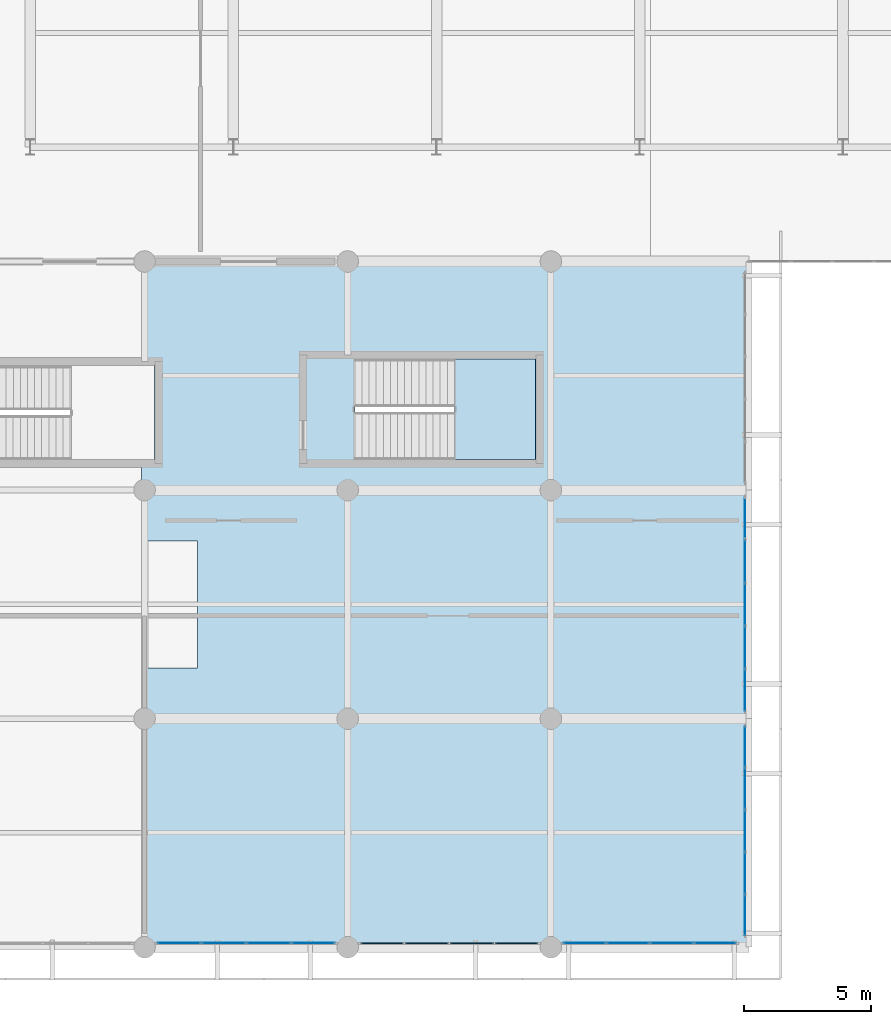
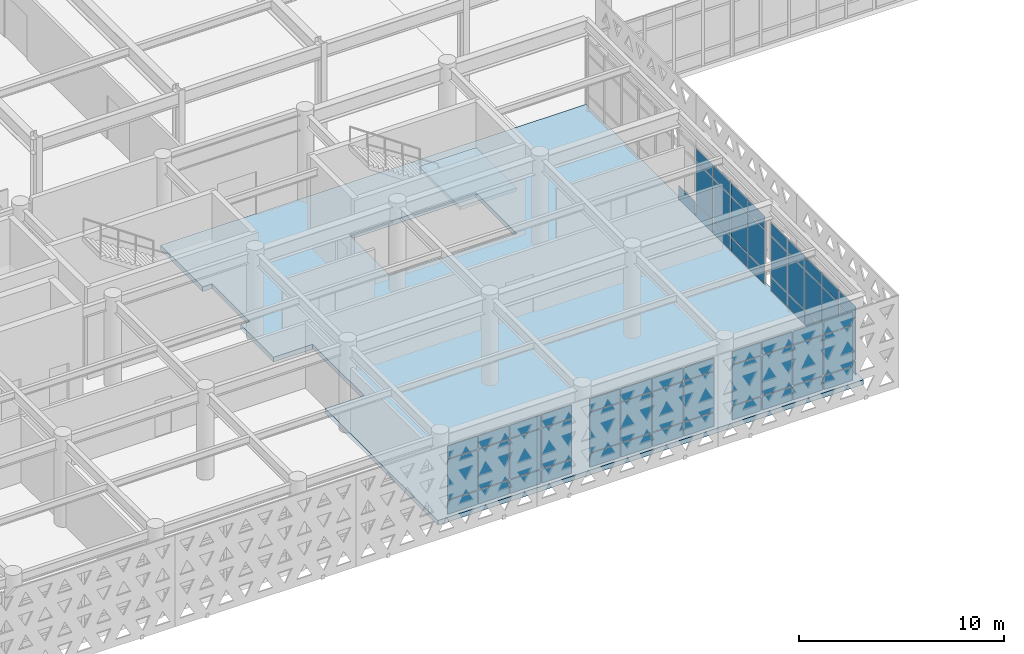
# One storey, part 50 of 84: 64 plates, 2 slabs, 6 elements without a shape of their own.
"""IFC4 building model written with IfcOpenShell, lengths in metres."""

from ifc_helpers import new_model, si_unit, direction, frame, origin, origin_2d, place, context, subcontext, project, spatial, polyline, rectangle, outline, extrude, material, layer, layer_set, type_object, element, aggregate, save


model = new_model("IFC4")

# Units and contexts
model_context = context("Model", 3, precision=1e-05, world=origin(), true_north=direction((0.0, 1.0)))
body_context = subcontext(model_context, "Body", "Model", "MODEL_VIEW")
ifc_project = project(units=[si_unit("LENGTHUNIT", "METRE"), si_unit("AREAUNIT", "SQUARE_METRE"), si_unit("VOLUMEUNIT", "CUBIC_METRE"), si_unit("PLANEANGLEUNIT", "RADIAN"), si_unit("MASSUNIT", "GRAM", prefix="KILO")], contexts=[model_context])

# Site, building, storey
site_placement = place(None, origin())
site = spatial("IfcSite", under=ifc_project, at=site_placement, CompositionType="ELEMENT")
building_placement = place(site_placement, origin())
building = spatial("IfcBuilding", under=site, at=building_placement, Name="Tlacozan Convention Centre", CompositionType="ELEMENT")
storey_placement = place(building_placement, frame((0.0, 0.0, 6.0)))
storey = spatial("IfcBuildingStorey", under=building, at=storey_placement, Name="L01", CompositionType="ELEMENT", Elevation=6.0)

# Slab
ifc_material_1 = material(Name="Concrete C40/50", Category="concrete")
ifc_layer_1 = layer(ifc_material_1, 0.280029296875)
ifc_layer_set_1 = layer_set([ifc_layer_1], Name="Concrete C40/50")
slab_type_1 = type_object("IfcSlabType", Name="Congress Composite Floor Slab 280", PredefinedType="FLOOR", material=ifc_layer_set_1)
slab_1_placement = place(storey_placement, frame((0.0, 0.0, -0.280029296875)))
element("IfcSlab", 1, at=slab_1_placement, inside=storey, type_object=slab_type_1, Name="L01 Congress Composite Floor Slab 280 57", PredefinedType="FLOOR", context=body_context, shape_type="SweptSolid", body=[
    extrude(outline(polyline([(119.800048828125, 27.0), (119.800048828125, 0.0), (95.8798828125, 0.0), (95.8798828125, 11.0), (98.080078125, 11.0), (98.080078125, 16.0), (95.8798828125, 16.0), (95.8798828125, 19.199951171875), (96.39990234375, 19.199951171875), (96.39990234375, 22.89990234375), (95.8798828125, 22.89990234375), (95.8798828125, 27.0), (119.800048828125, 27.0)]), holes=[polyline([(104.280029296875, 19.199951171875), (111.39990234375, 19.199951171875), (111.39990234375, 23.159912109375), (104.280029296875, 23.159912109375), (104.280029296875, 19.199951171875)])]), origin(), (0.0, 0.0, 1.0), 0.280029296875),
])

# Curtain wall, plates
ifc_material_2 = material(Name="Dark Bronze Anodised Aluminium", Category="aluminium")
ifc_layer_2 = layer(ifc_material_2, 0.159912109375)
ifc_layer_set_2 = layer_set([ifc_layer_2], Name="Dark Bronze Anodised Aluminium")
curtain_wall_type_1 = type_object("IfcCurtainWallType", Name="Unitised Congress L01 South CW02", PredefinedType="NOTDEFINED", material=ifc_layer_set_2)
curtain_wall_1_placement = place(storey_placement, origin())
curtain_wall_1 = element("IfcCurtainWall", 2, at=curtain_wall_1_placement, inside=storey, type_object=curtain_wall_type_1, Name="L01 CW-02 Run 67", PredefinedType="NOTDEFINED")
ifc_material_3 = material(Name="Solar Control Double Low-E Argon Glazing", Category="glass")
ifc_layer_3 = layer(ifc_material_3, 0.02001953125)
ifc_layer_set_3 = layer_set([ifc_layer_3], Name="Solar Control Double Low-E Argon Glazing")
plate_type_1 = type_object("IfcPlateType", Name="Double Low-E Glazed CW Panel 20", PredefinedType="CURTAIN_PANEL", material=ifc_layer_set_3)
plate_1_placement = place(storey_placement, frame((97.353759765625, 0.159912109375, 0.06494140625), z_axis=(0.0, 0.0, 1.0), x_axis=(1.0, 0.0, 0.0)))
plate_1 = element("IfcPlate", 3, at=plate_1_placement, type_object=plate_type_1, Name="CW-02 panel 1.1", PredefinedType="CURTAIN_PANEL", context=body_context, shape_type="SweptSolid", body=[
    extrude(rectangle(XDim=1.677490234375, YDim=0.02001953125, at=origin_2d()), origin(), (0.0, 0.0, 1.0), 0.802490234375),
])
plate_2_placement = place(storey_placement, frame((97.353759765625, 0.159912109375, 0.9326171875), z_axis=(0.0, 0.0, 1.0), x_axis=(1.0, 0.0, 0.0)))
plate_2 = element("IfcPlate", 4, at=plate_2_placement, type_object=plate_type_1, Name="CW-02 panel 1.2", PredefinedType="CURTAIN_PANEL", context=body_context, shape_type="SweptSolid", body=[
    extrude(rectangle(XDim=1.677490234375, YDim=0.02001953125, at=origin_2d()), origin(), (0.0, 0.0, 1.0), 2.364990234375),
])
plate_3_placement = place(storey_placement, frame((97.353759765625, 0.159912109375, 3.362548828125), z_axis=(0.0, 0.0, 1.0), x_axis=(1.0, 0.0, 0.0)))
plate_3 = element("IfcPlate", 5, at=plate_3_placement, type_object=plate_type_1, Name="CW-02 panel 1.3", PredefinedType="CURTAIN_PANEL", context=body_context, shape_type="SweptSolid", body=[
    extrude(rectangle(XDim=1.677490234375, YDim=0.02001953125, at=origin_2d()), origin(), (0.0, 0.0, 1.0), 0.75244140625),
])
plate_4_placement = place(storey_placement, frame((99.112548828125, 0.159912109375, 0.06494140625), z_axis=(0.0, 0.0, 1.0), x_axis=(1.0, 0.0, 0.0)))
plate_4 = element("IfcPlate", 6, at=plate_4_placement, type_object=plate_type_1, Name="CW-02 panel 2.1", PredefinedType="CURTAIN_PANEL", context=body_context, shape_type="SweptSolid", body=[
    extrude(rectangle(XDim=1.7099609375, YDim=0.02001953125, at=origin_2d()), origin(), (0.0, 0.0, 1.0), 0.802490234375),
])
plate_5_placement = place(storey_placement, frame((99.112548828125, 0.159912109375, 0.9326171875), z_axis=(0.0, 0.0, 1.0), x_axis=(1.0, 0.0, 0.0)))
plate_5 = element("IfcPlate", 7, at=plate_5_placement, type_object=plate_type_1, Name="CW-02 panel 2.2", PredefinedType="CURTAIN_PANEL", context=body_context, shape_type="SweptSolid", body=[
    extrude(rectangle(XDim=1.7099609375, YDim=0.02001953125, at=origin_2d()), origin(), (0.0, 0.0, 1.0), 2.364990234375),
])
plate_6_placement = place(storey_placement, frame((99.112548828125, 0.159912109375, 3.362548828125), z_axis=(0.0, 0.0, 1.0), x_axis=(1.0, 0.0, 0.0)))
plate_6 = element("IfcPlate", 8, at=plate_6_placement, type_object=plate_type_1, Name="CW-02 panel 2.3", PredefinedType="CURTAIN_PANEL", context=body_context, shape_type="SweptSolid", body=[
    extrude(rectangle(XDim=1.7099609375, YDim=0.02001953125, at=origin_2d()), origin(), (0.0, 0.0, 1.0), 0.75244140625),
])
plate_7_placement = place(storey_placement, frame((100.887451171875, 0.159912109375, 0.06494140625), z_axis=(0.0, 0.0, 1.0), x_axis=(1.0, 0.0, 0.0)))
plate_7 = element("IfcPlate", 9, at=plate_7_placement, type_object=plate_type_1, Name="CW-02 panel 3.1", PredefinedType="CURTAIN_PANEL", context=body_context, shape_type="SweptSolid", body=[
    extrude(rectangle(XDim=1.7099609375, YDim=0.02001953125, at=origin_2d()), origin(), (0.0, 0.0, 1.0), 0.802490234375),
])
plate_8_placement = place(storey_placement, frame((100.887451171875, 0.159912109375, 0.9326171875), z_axis=(0.0, 0.0, 1.0), x_axis=(1.0, 0.0, 0.0)))
plate_8 = element("IfcPlate", 10, at=plate_8_placement, type_object=plate_type_1, Name="CW-02 panel 3.2", PredefinedType="CURTAIN_PANEL", context=body_context, shape_type="SweptSolid", body=[
    extrude(rectangle(XDim=1.7099609375, YDim=0.02001953125, at=origin_2d()), origin(), (0.0, 0.0, 1.0), 2.364990234375),
])
plate_9_placement = place(storey_placement, frame((100.887451171875, 0.159912109375, 3.362548828125), z_axis=(0.0, 0.0, 1.0), x_axis=(1.0, 0.0, 0.0)))
plate_9 = element("IfcPlate", 11, at=plate_9_placement, type_object=plate_type_1, Name="CW-02 panel 3.3", PredefinedType="CURTAIN_PANEL", context=body_context, shape_type="SweptSolid", body=[
    extrude(rectangle(XDim=1.7099609375, YDim=0.02001953125, at=origin_2d()), origin(), (0.0, 0.0, 1.0), 0.75244140625),
])
plate_10_placement = place(storey_placement, frame((102.646240234375, 0.159912109375, 0.06494140625), z_axis=(0.0, 0.0, 1.0), x_axis=(1.0, 0.0, 0.0)))
plate_10 = element("IfcPlate", 12, at=plate_10_placement, type_object=plate_type_1, Name="CW-02 panel 4.1", PredefinedType="CURTAIN_PANEL", context=body_context, shape_type="SweptSolid", body=[
    extrude(rectangle(XDim=1.677490234375, YDim=0.02001953125, at=origin_2d()), origin(), (0.0, 0.0, 1.0), 0.802490234375),
])
plate_11_placement = place(storey_placement, frame((102.646240234375, 0.159912109375, 0.9326171875), z_axis=(0.0, 0.0, 1.0), x_axis=(1.0, 0.0, 0.0)))
plate_11 = element("IfcPlate", 13, at=plate_11_placement, type_object=plate_type_1, Name="CW-02 panel 4.2", PredefinedType="CURTAIN_PANEL", context=body_context, shape_type="SweptSolid", body=[
    extrude(rectangle(XDim=1.677490234375, YDim=0.02001953125, at=origin_2d()), origin(), (0.0, 0.0, 1.0), 2.364990234375),
])
plate_12_placement = place(storey_placement, frame((102.646240234375, 0.159912109375, 3.362548828125), z_axis=(0.0, 0.0, 1.0), x_axis=(1.0, 0.0, 0.0)))
plate_12 = element("IfcPlate", 14, at=plate_12_placement, type_object=plate_type_1, Name="CW-02 panel 4.3", PredefinedType="CURTAIN_PANEL", context=body_context, shape_type="SweptSolid", body=[
    extrude(rectangle(XDim=1.677490234375, YDim=0.02001953125, at=origin_2d()), origin(), (0.0, 0.0, 1.0), 0.75244140625),
])
aggregate(curtain_wall_1, [plate_1, plate_2, plate_3, plate_4, plate_5, plate_6, plate_7, plate_8, plate_9, plate_10, plate_11, plate_12])

curtain_wall_2_placement = place(storey_placement, origin())
curtain_wall_2 = element("IfcCurtainWall", 15, at=curtain_wall_2_placement, inside=storey, type_object=curtain_wall_type_1, Name="L01 CW-02 Run 69", PredefinedType="NOTDEFINED")
plate_13_placement = place(storey_placement, frame((113.328857421875, 0.159912109375, 0.06494140625), z_axis=(0.0, 0.0, 1.0), x_axis=(1.0, 0.0, 0.0)))
plate_13 = element("IfcPlate", 16, at=plate_13_placement, type_object=plate_type_1, Name="CW-02 panel 1.1", PredefinedType="CURTAIN_PANEL", context=body_context, shape_type="SweptSolid", body=[
    extrude(rectangle(XDim=1.62744140625, YDim=0.02001953125, at=origin_2d()), origin(), (0.0, 0.0, 1.0), 0.802490234375),
])
plate_14_placement = place(storey_placement, frame((113.328857421875, 0.159912109375, 0.9326171875), z_axis=(0.0, 0.0, 1.0), x_axis=(1.0, 0.0, 0.0)))
plate_14 = element("IfcPlate", 17, at=plate_14_placement, type_object=plate_type_1, Name="CW-02 panel 1.2", PredefinedType="CURTAIN_PANEL", context=body_context, shape_type="SweptSolid", body=[
    extrude(rectangle(XDim=1.62744140625, YDim=0.02001953125, at=origin_2d()), origin(), (0.0, 0.0, 1.0), 2.364990234375),
])
plate_15_placement = place(storey_placement, frame((113.328857421875, 0.159912109375, 3.362548828125), z_axis=(0.0, 0.0, 1.0), x_axis=(1.0, 0.0, 0.0)))
plate_15 = element("IfcPlate", 18, at=plate_15_placement, type_object=plate_type_1, Name="CW-02 panel 1.3", PredefinedType="CURTAIN_PANEL", context=body_context, shape_type="SweptSolid", body=[
    extrude(rectangle(XDim=1.62744140625, YDim=0.02001953125, at=origin_2d()), origin(), (0.0, 0.0, 1.0), 0.75244140625),
])
plate_16_placement = place(storey_placement, frame((115.03759765625, 0.159912109375, 0.06494140625), z_axis=(0.0, 0.0, 1.0), x_axis=(1.0, 0.0, 0.0)))
plate_16 = element("IfcPlate", 19, at=plate_16_placement, type_object=plate_type_1, Name="CW-02 panel 2.1", PredefinedType="CURTAIN_PANEL", context=body_context, shape_type="SweptSolid", body=[
    extrude(rectangle(XDim=1.659912109375, YDim=0.02001953125, at=origin_2d()), origin(), (0.0, 0.0, 1.0), 0.802490234375),
])
plate_17_placement = place(storey_placement, frame((115.03759765625, 0.159912109375, 0.9326171875), z_axis=(0.0, 0.0, 1.0), x_axis=(1.0, 0.0, 0.0)))
plate_17 = element("IfcPlate", 20, at=plate_17_placement, type_object=plate_type_1, Name="CW-02 panel 2.2", PredefinedType="CURTAIN_PANEL", context=body_context, shape_type="SweptSolid", body=[
    extrude(rectangle(XDim=1.659912109375, YDim=0.02001953125, at=origin_2d()), origin(), (0.0, 0.0, 1.0), 2.364990234375),
])
plate_18_placement = place(storey_placement, frame((115.03759765625, 0.159912109375, 3.362548828125), z_axis=(0.0, 0.0, 1.0), x_axis=(1.0, 0.0, 0.0)))
plate_18 = element("IfcPlate", 21, at=plate_18_placement, type_object=plate_type_1, Name="CW-02 panel 2.3", PredefinedType="CURTAIN_PANEL", context=body_context, shape_type="SweptSolid", body=[
    extrude(rectangle(XDim=1.659912109375, YDim=0.02001953125, at=origin_2d()), origin(), (0.0, 0.0, 1.0), 0.75244140625),
])
plate_19_placement = place(storey_placement, frame((116.762451171875, 0.159912109375, 0.06494140625), z_axis=(0.0, 0.0, 1.0), x_axis=(1.0, 0.0, 0.0)))
plate_19 = element("IfcPlate", 22, at=plate_19_placement, type_object=plate_type_1, Name="CW-02 panel 3.1", PredefinedType="CURTAIN_PANEL", context=body_context, shape_type="SweptSolid", body=[
    extrude(rectangle(XDim=1.659912109375, YDim=0.02001953125, at=origin_2d()), origin(), (0.0, 0.0, 1.0), 0.802490234375),
])
plate_20_placement = place(storey_placement, frame((116.762451171875, 0.159912109375, 0.9326171875), z_axis=(0.0, 0.0, 1.0), x_axis=(1.0, 0.0, 0.0)))
plate_20 = element("IfcPlate", 23, at=plate_20_placement, type_object=plate_type_1, Name="CW-02 panel 3.2", PredefinedType="CURTAIN_PANEL", context=body_context, shape_type="SweptSolid", body=[
    extrude(rectangle(XDim=1.659912109375, YDim=0.02001953125, at=origin_2d()), origin(), (0.0, 0.0, 1.0), 2.364990234375),
])
plate_21_placement = place(storey_placement, frame((116.762451171875, 0.159912109375, 3.362548828125), z_axis=(0.0, 0.0, 1.0), x_axis=(1.0, 0.0, 0.0)))
plate_21 = element("IfcPlate", 24, at=plate_21_placement, type_object=plate_type_1, Name="CW-02 panel 3.3", PredefinedType="CURTAIN_PANEL", context=body_context, shape_type="SweptSolid", body=[
    extrude(rectangle(XDim=1.659912109375, YDim=0.02001953125, at=origin_2d()), origin(), (0.0, 0.0, 1.0), 0.75244140625),
])
plate_22_placement = place(storey_placement, frame((118.47119140625, 0.159912109375, 0.06494140625), z_axis=(0.0, 0.0, 1.0), x_axis=(1.0, 0.0, 0.0)))
plate_22 = element("IfcPlate", 25, at=plate_22_placement, type_object=plate_type_1, Name="CW-02 panel 4.1", PredefinedType="CURTAIN_PANEL", context=body_context, shape_type="SweptSolid", body=[
    extrude(rectangle(XDim=1.62744140625, YDim=0.02001953125, at=origin_2d()), origin(), (0.0, 0.0, 1.0), 0.802490234375),
])
plate_23_placement = place(storey_placement, frame((118.47119140625, 0.159912109375, 0.9326171875), z_axis=(0.0, 0.0, 1.0), x_axis=(1.0, 0.0, 0.0)))
plate_23 = element("IfcPlate", 26, at=plate_23_placement, type_object=plate_type_1, Name="CW-02 panel 4.2", PredefinedType="CURTAIN_PANEL", context=body_context, shape_type="SweptSolid", body=[
    extrude(rectangle(XDim=1.62744140625, YDim=0.02001953125, at=origin_2d()), origin(), (0.0, 0.0, 1.0), 2.364990234375),
])
plate_24_placement = place(storey_placement, frame((118.47119140625, 0.159912109375, 3.362548828125), z_axis=(0.0, 0.0, 1.0), x_axis=(1.0, 0.0, 0.0)))
plate_24 = element("IfcPlate", 27, at=plate_24_placement, type_object=plate_type_1, Name="CW-02 panel 4.3", PredefinedType="CURTAIN_PANEL", context=body_context, shape_type="SweptSolid", body=[
    extrude(rectangle(XDim=1.62744140625, YDim=0.02001953125, at=origin_2d()), origin(), (0.0, 0.0, 1.0), 0.75244140625),
])
aggregate(curtain_wall_2, [plate_13, plate_14, plate_15, plate_16, plate_17, plate_18, plate_19, plate_20, plate_21, plate_22, plate_23, plate_24])

ifc_layer_4 = layer(ifc_material_2, 0.159912109375)
ifc_layer_set_4 = layer_set([ifc_layer_4], Name="Dark Bronze Anodised Aluminium")
curtain_wall_type_2 = type_object("IfcCurtainWallType", Name="Unitised Congress Gable End CW06", PredefinedType="NOTDEFINED", material=ifc_layer_set_4)
curtain_wall_3_placement = place(storey_placement, origin())
curtain_wall_3 = element("IfcCurtainWall", 28, at=curtain_wall_3_placement, inside=storey, type_object=curtain_wall_type_2, Name="L01 CW-06 Run 73", PredefinedType="NOTDEFINED")
plate_25_placement = place(storey_placement, frame((119.639892578125, 1.259033203125, 0.06005859375), z_axis=(0.0, 0.0, 1.0), x_axis=(0.0, 1.0, 0.0)))
plate_25 = element("IfcPlate", 29, at=plate_25_placement, type_object=plate_type_1, Name="CW-06 panel 1.1", PredefinedType="CURTAIN_PANEL", context=body_context, shape_type="SweptSolid", body=[
    extrude(rectangle(XDim=1.577880859375, YDim=0.02001953125, at=origin_2d()), origin(), (0.0, 0.0, 1.0), 0.81005859375),
])
plate_26_placement = place(storey_placement, frame((119.639892578125, 1.259033203125, 0.929931640625), z_axis=(0.0, 0.0, 1.0), x_axis=(0.0, 1.0, 0.0)))
plate_26 = element("IfcPlate", 30, at=plate_26_placement, type_object=plate_type_1, Name="CW-06 panel 1.2", PredefinedType="CURTAIN_PANEL", context=body_context, shape_type="SweptSolid", body=[
    extrude(rectangle(XDim=1.577880859375, YDim=0.02001953125, at=origin_2d()), origin(), (0.0, 0.0, 1.0), 2.3701171875),
])
plate_27_placement = place(storey_placement, frame((119.639892578125, 1.259033203125, 3.35986328125), z_axis=(0.0, 0.0, 1.0), x_axis=(0.0, 1.0, 0.0)))
plate_27 = element("IfcPlate", 31, at=plate_27_placement, type_object=plate_type_1, Name="CW-06 panel 1.3", PredefinedType="CURTAIN_PANEL", context=body_context, shape_type="SweptSolid", body=[
    extrude(rectangle(XDim=1.577880859375, YDim=0.02001953125, at=origin_2d()), origin(), (0.0, 0.0, 1.0), 0.760009765625),
])
plate_28_placement = place(storey_placement, frame((119.639892578125, 2.912109375, 0.06005859375), z_axis=(0.0, 0.0, 1.0), x_axis=(0.0, 1.0, 0.0)))
plate_28 = element("IfcPlate", 32, at=plate_28_placement, type_object=plate_type_1, Name="CW-06 panel 2.1", PredefinedType="CURTAIN_PANEL", context=body_context, shape_type="SweptSolid", body=[
    extrude(rectangle(XDim=1.60791015625, YDim=0.02001953125, at=origin_2d()), origin(), (0.0, 0.0, 1.0), 0.81005859375),
])
plate_29_placement = place(storey_placement, frame((119.639892578125, 2.912109375, 0.929931640625), z_axis=(0.0, 0.0, 1.0), x_axis=(0.0, 1.0, 0.0)))
plate_29 = element("IfcPlate", 33, at=plate_29_placement, type_object=plate_type_1, Name="CW-06 panel 2.2", PredefinedType="CURTAIN_PANEL", context=body_context, shape_type="SweptSolid", body=[
    extrude(rectangle(XDim=1.60791015625, YDim=0.02001953125, at=origin_2d()), origin(), (0.0, 0.0, 1.0), 2.3701171875),
])
plate_30_placement = place(storey_placement, frame((119.639892578125, 2.912109375, 3.35986328125), z_axis=(0.0, 0.0, 1.0), x_axis=(0.0, 1.0, 0.0)))
plate_30 = element("IfcPlate", 34, at=plate_30_placement, type_object=plate_type_1, Name="CW-06 panel 2.3", PredefinedType="CURTAIN_PANEL", context=body_context, shape_type="SweptSolid", body=[
    extrude(rectangle(XDim=1.60791015625, YDim=0.02001953125, at=origin_2d()), origin(), (0.0, 0.0, 1.0), 0.760009765625),
])
plate_31_placement = place(storey_placement, frame((119.639892578125, 4.580078125, 0.06005859375), z_axis=(0.0, 0.0, 1.0), x_axis=(0.0, 1.0, 0.0)))
plate_31 = element("IfcPlate", 35, at=plate_31_placement, type_object=plate_type_1, Name="CW-06 panel 3.1", PredefinedType="CURTAIN_PANEL", context=body_context, shape_type="SweptSolid", body=[
    extrude(rectangle(XDim=1.60791015625, YDim=0.02001953125, at=origin_2d()), origin(), (0.0, 0.0, 1.0), 0.81005859375),
])
plate_32_placement = place(storey_placement, frame((119.639892578125, 4.580078125, 0.929931640625), z_axis=(0.0, 0.0, 1.0), x_axis=(0.0, 1.0, 0.0)))
plate_32 = element("IfcPlate", 36, at=plate_32_placement, type_object=plate_type_1, Name="CW-06 panel 3.2", PredefinedType="CURTAIN_PANEL", context=body_context, shape_type="SweptSolid", body=[
    extrude(rectangle(XDim=1.60791015625, YDim=0.02001953125, at=origin_2d()), origin(), (0.0, 0.0, 1.0), 2.3701171875),
])
plate_33_placement = place(storey_placement, frame((119.639892578125, 4.580078125, 3.35986328125), z_axis=(0.0, 0.0, 1.0), x_axis=(0.0, 1.0, 0.0)))
plate_33 = element("IfcPlate", 37, at=plate_33_placement, type_object=plate_type_1, Name="CW-06 panel 3.3", PredefinedType="CURTAIN_PANEL", context=body_context, shape_type="SweptSolid", body=[
    extrude(rectangle(XDim=1.60791015625, YDim=0.02001953125, at=origin_2d()), origin(), (0.0, 0.0, 1.0), 0.760009765625),
])
plate_34_placement = place(storey_placement, frame((119.639892578125, 6.248046875, 0.06005859375), z_axis=(0.0, 0.0, 1.0), x_axis=(0.0, 1.0, 0.0)))
plate_34 = element("IfcPlate", 38, at=plate_34_placement, type_object=plate_type_1, Name="CW-06 panel 4.1", PredefinedType="CURTAIN_PANEL", context=body_context, shape_type="SweptSolid", body=[
    extrude(rectangle(XDim=1.60791015625, YDim=0.02001953125, at=origin_2d()), origin(), (0.0, 0.0, 1.0), 0.81005859375),
])
plate_35_placement = place(storey_placement, frame((119.639892578125, 6.248046875, 0.929931640625), z_axis=(0.0, 0.0, 1.0), x_axis=(0.0, 1.0, 0.0)))
plate_35 = element("IfcPlate", 39, at=plate_35_placement, type_object=plate_type_1, Name="CW-06 panel 4.2", PredefinedType="CURTAIN_PANEL", context=body_context, shape_type="SweptSolid", body=[
    extrude(rectangle(XDim=1.60791015625, YDim=0.02001953125, at=origin_2d()), origin(), (0.0, 0.0, 1.0), 2.3701171875),
])
plate_36_placement = place(storey_placement, frame((119.639892578125, 6.248046875, 3.35986328125), z_axis=(0.0, 0.0, 1.0), x_axis=(0.0, 1.0, 0.0)))
plate_36 = element("IfcPlate", 40, at=plate_36_placement, type_object=plate_type_1, Name="CW-06 panel 4.3", PredefinedType="CURTAIN_PANEL", context=body_context, shape_type="SweptSolid", body=[
    extrude(rectangle(XDim=1.60791015625, YDim=0.02001953125, at=origin_2d()), origin(), (0.0, 0.0, 1.0), 0.760009765625),
])
plate_37_placement = place(storey_placement, frame((119.639892578125, 7.90087890625, 0.06005859375), z_axis=(0.0, 0.0, 1.0), x_axis=(0.0, 1.0, 0.0)))
plate_37 = element("IfcPlate", 41, at=plate_37_placement, type_object=plate_type_1, Name="CW-06 panel 5.1", PredefinedType="CURTAIN_PANEL", context=body_context, shape_type="SweptSolid", body=[
    extrude(rectangle(XDim=1.577880859375, YDim=0.02001953125, at=origin_2d()), origin(), (0.0, 0.0, 1.0), 0.81005859375),
])
plate_38_placement = place(storey_placement, frame((119.639892578125, 7.90087890625, 0.929931640625), z_axis=(0.0, 0.0, 1.0), x_axis=(0.0, 1.0, 0.0)))
plate_38 = element("IfcPlate", 42, at=plate_38_placement, type_object=plate_type_1, Name="CW-06 panel 5.2", PredefinedType="CURTAIN_PANEL", context=body_context, shape_type="SweptSolid", body=[
    extrude(rectangle(XDim=1.577880859375, YDim=0.02001953125, at=origin_2d()), origin(), (0.0, 0.0, 1.0), 2.3701171875),
])
plate_39_placement = place(storey_placement, frame((119.639892578125, 7.90087890625, 3.35986328125), z_axis=(0.0, 0.0, 1.0), x_axis=(0.0, 1.0, 0.0)))
plate_39 = element("IfcPlate", 43, at=plate_39_placement, type_object=plate_type_1, Name="CW-06 panel 5.3", PredefinedType="CURTAIN_PANEL", context=body_context, shape_type="SweptSolid", body=[
    extrude(rectangle(XDim=1.577880859375, YDim=0.02001953125, at=origin_2d()), origin(), (0.0, 0.0, 1.0), 0.760009765625),
])
aggregate(curtain_wall_3, [plate_25, plate_26, plate_27, plate_28, plate_29, plate_30, plate_31, plate_32, plate_33, plate_34, plate_35, plate_36, plate_37, plate_38, plate_39])

curtain_wall_4_placement = place(storey_placement, origin())
curtain_wall_4 = element("IfcCurtainWall", 44, at=curtain_wall_4_placement, inside=storey, type_object=curtain_wall_type_2, Name="L01 CW-06 Run 75", PredefinedType="NOTDEFINED")
plate_40_placement = place(storey_placement, frame((119.639892578125, 10.114990234375, 0.06005859375), z_axis=(0.0, 0.0, 1.0), x_axis=(0.0, 1.0, 0.0)))
plate_40 = element("IfcPlate", 45, at=plate_40_placement, type_object=plate_type_1, Name="CW-06 panel 1.1", PredefinedType="CURTAIN_PANEL", context=body_context, shape_type="SweptSolid", body=[
    extrude(rectangle(XDim=1.610107421875, YDim=0.02001953125, at=origin_2d()), origin(), (0.0, 0.0, 1.0), 0.81005859375),
])
plate_41_placement = place(storey_placement, frame((119.639892578125, 10.114990234375, 0.929931640625), z_axis=(0.0, 0.0, 1.0), x_axis=(0.0, 1.0, 0.0)))
plate_41 = element("IfcPlate", 46, at=plate_41_placement, type_object=plate_type_1, Name="CW-06 panel 1.2", PredefinedType="CURTAIN_PANEL", context=body_context, shape_type="SweptSolid", body=[
    extrude(rectangle(XDim=1.610107421875, YDim=0.02001953125, at=origin_2d()), origin(), (0.0, 0.0, 1.0), 2.3701171875),
])
plate_42_placement = place(storey_placement, frame((119.639892578125, 10.114990234375, 3.35986328125), z_axis=(0.0, 0.0, 1.0), x_axis=(0.0, 1.0, 0.0)))
plate_42 = element("IfcPlate", 47, at=plate_42_placement, type_object=plate_type_1, Name="CW-06 panel 1.3", PredefinedType="CURTAIN_PANEL", context=body_context, shape_type="SweptSolid", body=[
    extrude(rectangle(XDim=1.610107421875, YDim=0.02001953125, at=origin_2d()), origin(), (0.0, 0.0, 1.0), 0.760009765625),
])
plate_43_placement = place(storey_placement, frame((119.639892578125, 11.800048828125, 0.06005859375), z_axis=(0.0, 0.0, 1.0), x_axis=(0.0, 1.0, 0.0)))
plate_43 = element("IfcPlate", 48, at=plate_43_placement, type_object=plate_type_1, Name="CW-06 panel 2.1", PredefinedType="CURTAIN_PANEL", context=body_context, shape_type="SweptSolid", body=[
    extrude(rectangle(XDim=1.639892578125, YDim=0.02001953125, at=origin_2d()), origin(), (0.0, 0.0, 1.0), 0.81005859375),
])
plate_44_placement = place(storey_placement, frame((119.639892578125, 11.800048828125, 0.929931640625), z_axis=(0.0, 0.0, 1.0), x_axis=(0.0, 1.0, 0.0)))
plate_44 = element("IfcPlate", 49, at=plate_44_placement, type_object=plate_type_1, Name="CW-06 panel 2.2", PredefinedType="CURTAIN_PANEL", context=body_context, shape_type="SweptSolid", body=[
    extrude(rectangle(XDim=1.639892578125, YDim=0.02001953125, at=origin_2d()), origin(), (0.0, 0.0, 1.0), 2.3701171875),
])
plate_45_placement = place(storey_placement, frame((119.639892578125, 11.800048828125, 3.35986328125), z_axis=(0.0, 0.0, 1.0), x_axis=(0.0, 1.0, 0.0)))
plate_45 = element("IfcPlate", 50, at=plate_45_placement, type_object=plate_type_1, Name="CW-06 panel 2.3", PredefinedType="CURTAIN_PANEL", context=body_context, shape_type="SweptSolid", body=[
    extrude(rectangle(XDim=1.639892578125, YDim=0.02001953125, at=origin_2d()), origin(), (0.0, 0.0, 1.0), 0.760009765625),
])
plate_46_placement = place(storey_placement, frame((119.639892578125, 13.5, 0.06005859375), z_axis=(0.0, 0.0, 1.0), x_axis=(0.0, 1.0, 0.0)))
plate_46 = element("IfcPlate", 51, at=plate_46_placement, type_object=plate_type_1, Name="CW-06 panel 3.1", PredefinedType="CURTAIN_PANEL", context=body_context, shape_type="SweptSolid", body=[
    extrude(rectangle(XDim=1.639892578125, YDim=0.02001953125, at=origin_2d()), origin(), (0.0, 0.0, 1.0), 0.81005859375),
])
plate_47_placement = place(storey_placement, frame((119.639892578125, 13.5, 0.929931640625), z_axis=(0.0, 0.0, 1.0), x_axis=(0.0, 1.0, 0.0)))
plate_47 = element("IfcPlate", 52, at=plate_47_placement, type_object=plate_type_1, Name="CW-06 panel 3.2", PredefinedType="CURTAIN_PANEL", context=body_context, shape_type="SweptSolid", body=[
    extrude(rectangle(XDim=1.639892578125, YDim=0.02001953125, at=origin_2d()), origin(), (0.0, 0.0, 1.0), 2.3701171875),
])
plate_48_placement = place(storey_placement, frame((119.639892578125, 13.5, 3.35986328125), z_axis=(0.0, 0.0, 1.0), x_axis=(0.0, 1.0, 0.0)))
plate_48 = element("IfcPlate", 53, at=plate_48_placement, type_object=plate_type_1, Name="CW-06 panel 3.3", PredefinedType="CURTAIN_PANEL", context=body_context, shape_type="SweptSolid", body=[
    extrude(rectangle(XDim=1.639892578125, YDim=0.02001953125, at=origin_2d()), origin(), (0.0, 0.0, 1.0), 0.760009765625),
])
plate_49_placement = place(storey_placement, frame((119.639892578125, 15.199951171875, 0.06005859375), z_axis=(0.0, 0.0, 1.0), x_axis=(0.0, 1.0, 0.0)))
plate_49 = element("IfcPlate", 54, at=plate_49_placement, type_object=plate_type_1, Name="CW-06 panel 4.1", PredefinedType="CURTAIN_PANEL", context=body_context, shape_type="SweptSolid", body=[
    extrude(rectangle(XDim=1.639892578125, YDim=0.02001953125, at=origin_2d()), origin(), (0.0, 0.0, 1.0), 0.81005859375),
])
plate_50_placement = place(storey_placement, frame((119.639892578125, 15.199951171875, 0.929931640625), z_axis=(0.0, 0.0, 1.0), x_axis=(0.0, 1.0, 0.0)))
plate_50 = element("IfcPlate", 55, at=plate_50_placement, type_object=plate_type_1, Name="CW-06 panel 4.2", PredefinedType="CURTAIN_PANEL", context=body_context, shape_type="SweptSolid", body=[
    extrude(rectangle(XDim=1.639892578125, YDim=0.02001953125, at=origin_2d()), origin(), (0.0, 0.0, 1.0), 2.3701171875),
])
plate_51_placement = place(storey_placement, frame((119.639892578125, 15.199951171875, 3.35986328125), z_axis=(0.0, 0.0, 1.0), x_axis=(0.0, 1.0, 0.0)))
plate_51 = element("IfcPlate", 56, at=plate_51_placement, type_object=plate_type_1, Name="CW-06 panel 4.3", PredefinedType="CURTAIN_PANEL", context=body_context, shape_type="SweptSolid", body=[
    extrude(rectangle(XDim=1.639892578125, YDim=0.02001953125, at=origin_2d()), origin(), (0.0, 0.0, 1.0), 0.760009765625),
])
plate_52_placement = place(storey_placement, frame((119.639892578125, 16.885009765625, 0.06005859375), z_axis=(0.0, 0.0, 1.0), x_axis=(0.0, 1.0, 0.0)))
plate_52 = element("IfcPlate", 57, at=plate_52_placement, type_object=plate_type_1, Name="CW-06 panel 5.1", PredefinedType="CURTAIN_PANEL", context=body_context, shape_type="SweptSolid", body=[
    extrude(rectangle(XDim=1.610107421875, YDim=0.02001953125, at=origin_2d()), origin(), (0.0, 0.0, 1.0), 0.81005859375),
])
aggregate(curtain_wall_4, [plate_40, plate_41, plate_42, plate_43, plate_44, plate_45, plate_46, plate_47, plate_48, plate_49, plate_50, plate_51, plate_52])

curtain_wall_5_placement = place(storey_placement, origin())
curtain_wall_5 = element("IfcCurtainWall", 58, at=curtain_wall_5_placement, inside=storey, type_object=curtain_wall_type_1, Name="L01 CW-02 Run 68", PredefinedType="NOTDEFINED")
ifc_layer_5 = layer(ifc_material_3, 0.0400390625)
ifc_layer_set_5 = layer_set([ifc_layer_5], Name="Solar Control Double Low-E Argon Glazing")
plate_type_2 = type_object("IfcPlateType", Name="Insulated Spandrel CW Panel 40", PredefinedType="CURTAIN_PANEL", material=ifc_layer_set_5)
plate_53_placement = place(storey_placement, frame((105.353759765625, 0.159912109375, 0.06494140625), z_axis=(0.0, 0.0, 1.0), x_axis=(1.0, 0.0, 0.0)))
plate_53 = element("IfcPlate", 59, at=plate_53_placement, type_object=plate_type_2, Name="CW-02 panel 1.1", PredefinedType="CURTAIN_PANEL", context=body_context, shape_type="SweptSolid", body=[
    extrude(rectangle(XDim=1.677490234375, YDim=0.0400390625, at=origin_2d()), origin(), (0.0, 0.0, 1.0), 0.802490234375),
])
plate_54_placement = place(storey_placement, frame((105.353759765625, 0.159912109375, 0.9326171875), z_axis=(0.0, 0.0, 1.0), x_axis=(1.0, 0.0, 0.0)))
plate_54 = element("IfcPlate", 60, at=plate_54_placement, type_object=plate_type_2, Name="CW-02 panel 1.2", PredefinedType="CURTAIN_PANEL", context=body_context, shape_type="SweptSolid", body=[
    extrude(rectangle(XDim=1.677490234375, YDim=0.0400390625, at=origin_2d()), origin(), (0.0, 0.0, 1.0), 2.364990234375),
])
plate_55_placement = place(storey_placement, frame((105.353759765625, 0.159912109375, 3.362548828125), z_axis=(0.0, 0.0, 1.0), x_axis=(1.0, 0.0, 0.0)))
plate_55 = element("IfcPlate", 61, at=plate_55_placement, type_object=plate_type_2, Name="CW-02 panel 1.3", PredefinedType="CURTAIN_PANEL", context=body_context, shape_type="SweptSolid", body=[
    extrude(rectangle(XDim=1.677490234375, YDim=0.0400390625, at=origin_2d()), origin(), (0.0, 0.0, 1.0), 0.75244140625),
])
plate_56_placement = place(storey_placement, frame((107.112548828125, 0.159912109375, 0.06494140625), z_axis=(0.0, 0.0, 1.0), x_axis=(1.0, 0.0, 0.0)))
plate_56 = element("IfcPlate", 62, at=plate_56_placement, type_object=plate_type_2, Name="CW-02 panel 2.1", PredefinedType="CURTAIN_PANEL", context=body_context, shape_type="SweptSolid", body=[
    extrude(rectangle(XDim=1.7099609375, YDim=0.0400390625, at=origin_2d()), origin(), (0.0, 0.0, 1.0), 0.802490234375),
])
plate_57_placement = place(storey_placement, frame((107.112548828125, 0.159912109375, 0.9326171875), z_axis=(0.0, 0.0, 1.0), x_axis=(1.0, 0.0, 0.0)))
plate_57 = element("IfcPlate", 63, at=plate_57_placement, type_object=plate_type_2, Name="CW-02 panel 2.2", PredefinedType="CURTAIN_PANEL", context=body_context, shape_type="SweptSolid", body=[
    extrude(rectangle(XDim=1.7099609375, YDim=0.0400390625, at=origin_2d()), origin(), (0.0, 0.0, 1.0), 2.364990234375),
])
plate_58_placement = place(storey_placement, frame((107.112548828125, 0.159912109375, 3.362548828125), z_axis=(0.0, 0.0, 1.0), x_axis=(1.0, 0.0, 0.0)))
plate_58 = element("IfcPlate", 64, at=plate_58_placement, type_object=plate_type_2, Name="CW-02 panel 2.3", PredefinedType="CURTAIN_PANEL", context=body_context, shape_type="SweptSolid", body=[
    extrude(rectangle(XDim=1.7099609375, YDim=0.0400390625, at=origin_2d()), origin(), (0.0, 0.0, 1.0), 0.75244140625),
])
plate_59_placement = place(storey_placement, frame((108.887451171875, 0.159912109375, 0.06494140625), z_axis=(0.0, 0.0, 1.0), x_axis=(1.0, 0.0, 0.0)))
plate_59 = element("IfcPlate", 65, at=plate_59_placement, type_object=plate_type_2, Name="CW-02 panel 3.1", PredefinedType="CURTAIN_PANEL", context=body_context, shape_type="SweptSolid", body=[
    extrude(rectangle(XDim=1.7099609375, YDim=0.0400390625, at=origin_2d()), origin(), (0.0, 0.0, 1.0), 0.802490234375),
])
plate_60_placement = place(storey_placement, frame((108.887451171875, 0.159912109375, 0.9326171875), z_axis=(0.0, 0.0, 1.0), x_axis=(1.0, 0.0, 0.0)))
plate_60 = element("IfcPlate", 66, at=plate_60_placement, type_object=plate_type_2, Name="CW-02 panel 3.2", PredefinedType="CURTAIN_PANEL", context=body_context, shape_type="SweptSolid", body=[
    extrude(rectangle(XDim=1.7099609375, YDim=0.0400390625, at=origin_2d()), origin(), (0.0, 0.0, 1.0), 2.364990234375),
])
plate_61_placement = place(storey_placement, frame((108.887451171875, 0.159912109375, 3.362548828125), z_axis=(0.0, 0.0, 1.0), x_axis=(1.0, 0.0, 0.0)))
plate_61 = element("IfcPlate", 67, at=plate_61_placement, type_object=plate_type_2, Name="CW-02 panel 3.3", PredefinedType="CURTAIN_PANEL", context=body_context, shape_type="SweptSolid", body=[
    extrude(rectangle(XDim=1.7099609375, YDim=0.0400390625, at=origin_2d()), origin(), (0.0, 0.0, 1.0), 0.75244140625),
])
plate_62_placement = place(storey_placement, frame((110.646240234375, 0.159912109375, 0.06494140625), z_axis=(0.0, 0.0, 1.0), x_axis=(1.0, 0.0, 0.0)))
plate_62 = element("IfcPlate", 68, at=plate_62_placement, type_object=plate_type_2, Name="CW-02 panel 4.1", PredefinedType="CURTAIN_PANEL", context=body_context, shape_type="SweptSolid", body=[
    extrude(rectangle(XDim=1.677490234375, YDim=0.0400390625, at=origin_2d()), origin(), (0.0, 0.0, 1.0), 0.802490234375),
])
plate_63_placement = place(storey_placement, frame((110.646240234375, 0.159912109375, 0.9326171875), z_axis=(0.0, 0.0, 1.0), x_axis=(1.0, 0.0, 0.0)))
plate_63 = element("IfcPlate", 69, at=plate_63_placement, type_object=plate_type_2, Name="CW-02 panel 4.2", PredefinedType="CURTAIN_PANEL", context=body_context, shape_type="SweptSolid", body=[
    extrude(rectangle(XDim=1.677490234375, YDim=0.0400390625, at=origin_2d()), origin(), (0.0, 0.0, 1.0), 2.364990234375),
])
plate_64_placement = place(storey_placement, frame((110.646240234375, 0.159912109375, 3.362548828125), z_axis=(0.0, 0.0, 1.0), x_axis=(1.0, 0.0, 0.0)))
plate_64 = element("IfcPlate", 70, at=plate_64_placement, type_object=plate_type_2, Name="CW-02 panel 4.3", PredefinedType="CURTAIN_PANEL", context=body_context, shape_type="SweptSolid", body=[
    extrude(rectangle(XDim=1.677490234375, YDim=0.0400390625, at=origin_2d()), origin(), (0.0, 0.0, 1.0), 0.75244140625),
])
aggregate(curtain_wall_5, [plate_53, plate_54, plate_55, plate_56, plate_57, plate_58, plate_59, plate_60, plate_61, plate_62, plate_63, plate_64])

# Stair, slab
stair_type = type_object("IfcStairType", Name="Protected Dogleg Stair W188 H54", PredefinedType="HALF_TURN_STAIR", material=ifc_material_1)
stair_placement = place(storey_placement, origin())
stair = element("IfcStair", 71, at=stair_placement, inside=storey, type_object=stair_type, Name="L01 East Congress Stair", PredefinedType="HALF_TURN_STAIR")
ifc_layer_6 = layer(ifc_material_1, 0.199951171875)
ifc_layer_set_6 = layer_set([ifc_layer_6], Name="Concrete C40/50")
slab_type_2 = type_object("IfcSlabType", Name="Stair Half Landing Slab 200", PredefinedType="LANDING", material=ifc_layer_set_6)
slab_2_placement = place(storey_placement, frame((0.0, 0.0, 2.5)))
slab_2 = element("IfcSlab", 72, at=slab_2_placement, type_object=slab_type_2, Name="ST-05 landing 1", PredefinedType="LANDING", context=body_context, shape_type="SweptSolid", body=[
    extrude(outline(polyline([(108.199951171875, 19.199951171875), (111.39990234375, 19.199951171875), (111.39990234375, 23.159912109375), (108.199951171875, 23.159912109375), (108.199951171875, 19.199951171875)])), origin(), (0.0, 0.0, 1.0), 0.199951171875),
])
aggregate(stair, [slab_2])

save(model, "model.ifc")
